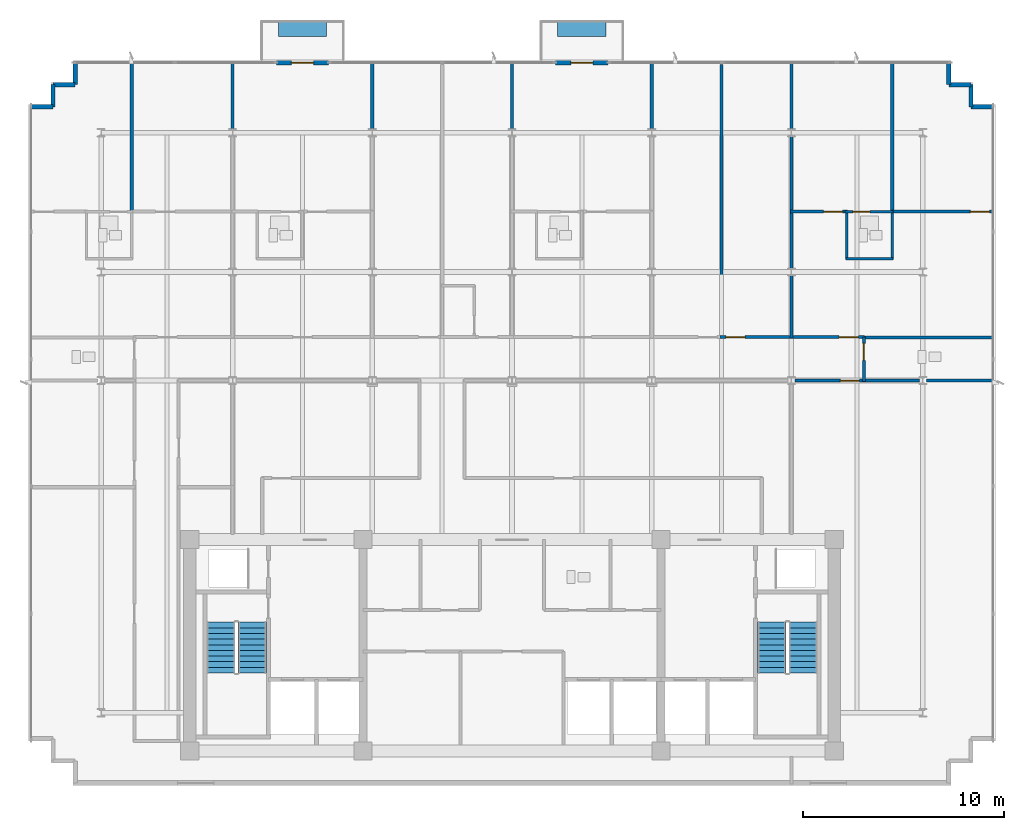
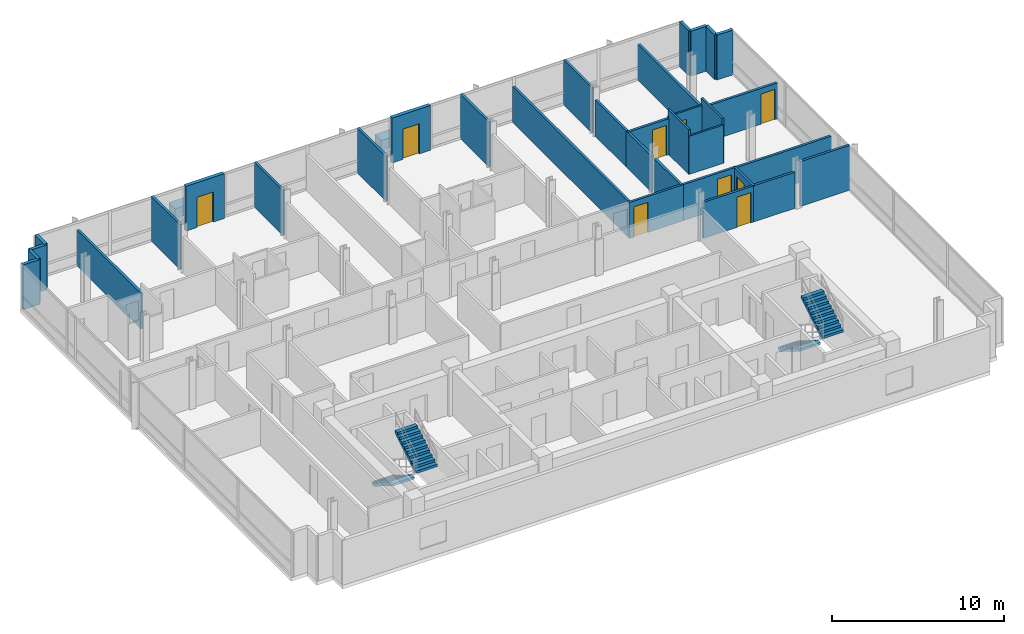
# One storey, part 11 of 15: 34 walls, 9 doors, 4 stair flights, 2 discrete accessories, 9 openings, 2 elements without a shape of their own.
"""IFC4 building model written with IfcOpenShell, lengths in metres."""

from ifc_helpers import new_model, si_unit, direction, frame, frame_2d, origin, origin_2d, place, context, subcontext, project, spatial, polyline, rectangle, outline, extrude, material, layer, layer_set, type_object, element, fill, aggregate, save


model = new_model("IFC4")

# Units and contexts
model_context = context("Model", 3, precision=1e-05, world=origin(), true_north=direction((0.0, 1.0)))
body_context = subcontext(model_context, "Body", "Model", "MODEL_VIEW")
ifc_project = project(units=[si_unit("LENGTHUNIT", "METRE"), si_unit("AREAUNIT", "SQUARE_METRE"), si_unit("VOLUMEUNIT", "CUBIC_METRE"), si_unit("PLANEANGLEUNIT", "RADIAN"), si_unit("MASSUNIT", "GRAM", prefix="KILO")], contexts=[model_context])

# Site, building, storey
site_placement = place(None, origin())
site = spatial("IfcSite", under=ifc_project, at=site_placement, CompositionType="ELEMENT")
building_placement = place(site_placement, origin())
building = spatial("IfcBuilding", under=site, at=building_placement, Name="Solmavex Isthmus Hotel", CompositionType="ELEMENT")
storey_placement = place(building_placement, frame((0.0, 0.0, 259.199951171875)))
storey = spatial("IfcBuildingStorey", under=building, at=storey_placement, Name="L70", CompositionType="ELEMENT", Elevation=259.199951171875)

# Wall, opening, door
ifc_material_1 = material(Name="Precast Concrete C40/50", Category="concrete")
ifc_layer_1 = layer(ifc_material_1, 0.25)
ifc_layer_set_1 = layer_set([ifc_layer_1], Name="Precast Concrete C40/50")
wall_type_1 = type_object("IfcWallType", Name="EW-TWR-250", PredefinedType="STANDARD", material=ifc_layer_set_1)
wall_1_placement = place(storey_placement, frame((-11.7041015625, 21.179931640625, 0.0), z_axis=(0.0, 0.0, 1.0), x_axis=(1.0, 0.0, 0.0)))
wall_1 = element("IfcWall", 1, at=wall_1_placement, inside=storey, type_object=wall_type_1, Name="Exterior Balcony Door Wall L70-2", PredefinedType="STANDARD", context=body_context, shape_type="SweptSolid", body=[
    extrude(rectangle(XDim=2.60009765625, YDim=0.239990234375, at=frame_2d((1.300048828125, 0.0))), origin(), (0.0, 0.0, 1.0), 3.18994140625),
])
opening_1_placement = place(wall_1_placement, frame((0.75, 0.0, 0.0)))
opening_1 = element("IfcOpeningElement", 2, at=opening_1_placement, cuts=wall_1, Name="Opening ED-02", PredefinedType="OPENING", context=body_context, shape_type="SweptSolid", body=[
    extrude(rectangle(XDim=1.10009765625, YDim=2.14990234375, at=frame_2d((0.550048828125, 1.074951171875))), frame((0.0, 0.1298828125, 0.0), z_axis=(0.0, -1.0, 0.0), x_axis=(1.0, 0.0, 0.0)), (0.0, 0.0, 1.0), 0.260009765625),
])
ifc_material_2 = material(Name="Aluminium alloy 6063-T6", Category="aluminium")
door_type_1 = type_object("IfcDoorType", Name="EDR-BALC-1100", OperationType="NOTDEFINED", PredefinedType="DOOR", material=ifc_material_2)
door_1_placement = place(opening_1_placement, origin())
door_1 = element("IfcDoor", 3, at=door_1_placement, inside=storey, type_object=door_type_1, Name="Balcony & Terrace Glazed Door L70-2", OperationType="SINGLE_SWING_RIGHT", OverallHeight=2.14990234375, OverallWidth=1.10009765625, PredefinedType="DOOR", context=body_context, shape_type="SweptSolid", body=[
    extrude(rectangle(XDim=1.10009765625, YDim=2.14990234375, at=frame_2d((0.550048828125, 1.074951171875))), frame((0.0, 0.02490234375, 0.0), z_axis=(0.0, -1.0, 0.0), x_axis=(1.0, 0.0, 0.0)), (0.0, 0.0, 1.0), 0.050048828125),
])
fill(opening_1, door_1)

wall_2_placement = place(storey_placement, frame((2.16796875, 21.179931640625, 0.0), z_axis=(0.0, 0.0, 1.0), x_axis=(1.0, 0.0, 0.0)))
wall_2 = element("IfcWall", 4, at=wall_2_placement, inside=storey, type_object=wall_type_1, Name="Exterior Balcony Door Wall L70-3", PredefinedType="STANDARD", context=body_context, shape_type="SweptSolid", body=[
    extrude(rectangle(XDim=2.60009765625, YDim=0.239990234375, at=frame_2d((1.300048828125, 0.0))), origin(), (0.0, 0.0, 1.0), 3.18994140625),
])
opening_2_placement = place(wall_2_placement, frame((0.75, 0.0, 0.0)))
opening_2 = element("IfcOpeningElement", 5, at=opening_2_placement, cuts=wall_2, Name="Opening ED-02", PredefinedType="OPENING", context=body_context, shape_type="SweptSolid", body=[
    extrude(rectangle(XDim=1.10009765625, YDim=2.14990234375, at=frame_2d((0.550048828125, 1.074951171875))), frame((0.0, 0.1298828125, 0.0), z_axis=(0.0, -1.0, 0.0), x_axis=(1.0, 0.0, 0.0)), (0.0, 0.0, 1.0), 0.260009765625),
])
door_2_placement = place(opening_2_placement, origin())
door_2 = element("IfcDoor", 6, at=door_2_placement, inside=storey, type_object=door_type_1, Name="Balcony & Terrace Glazed Door L70-3", OperationType="SINGLE_SWING_LEFT", OverallHeight=2.14990234375, OverallWidth=1.10009765625, PredefinedType="DOOR", context=body_context, shape_type="SweptSolid", body=[
    extrude(rectangle(XDim=1.10009765625, YDim=2.14990234375, at=frame_2d((0.550048828125, 1.074951171875))), frame((0.0, 0.02490234375, 0.0), z_axis=(0.0, -1.0, 0.0), x_axis=(1.0, 0.0, 0.0)), (0.0, 0.0, 1.0), 0.050048828125),
])
fill(opening_2, door_2)

# Walls
wall_3_placement = place(storey_placement, frame((-23.889892578125, 18.989990234375, 0.0), z_axis=(0.0, 0.0, 1.0), x_axis=(1.0, 0.0, 0.0)))
element("IfcWall", 7, at=wall_3_placement, inside=storey, type_object=wall_type_1, Name="Serrated Corner Facade Panel L70-06", PredefinedType="STANDARD", context=body_context, shape_type="SweptSolid", body=[
    extrude(rectangle(XDim=1.099853515625, YDim=0.219970703125, at=frame_2d((0.5498046875, 0.0))), origin(), (0.0, 0.0, 1.0), 3.18994140625),
])
for number, where, z_axis, x_axis, name in (
    (8, (-22.7900390625, 18.989990234375, 0.0), (0.0, 0.0, 1.0), (0.0, 1.0, 0.0), "Serrated Corner Facade Panel L70-07"),
    (9, (-22.7900390625, 20.090087890625, 0.0), (0.0, 0.0, 1.0), (1.0, 0.0, 0.0), "Serrated Corner Facade Panel L70-08"),
):
    element("IfcWall", number, at=place(storey_placement, frame(where, z_axis=z_axis, x_axis=x_axis)), inside=storey, type_object=wall_type_1, Name=name, PredefinedType="STANDARD", context=body_context, shape_type="SweptSolid", body=[
        extrude(rectangle(XDim=1.10009765625, YDim=0.219970703125, at=frame_2d((0.550048828125, 0.0))), origin(), (0.0, 0.0, 1.0), 3.18994140625),
    ])
for number, where, z_axis, x_axis, name in (
    (10, (-21.68994140625, 20.090087890625, 0.0), (0.0, 0.0, 1.0), (0.0, 1.0, 0.0), "Serrated Corner Facade Panel L70-09"),
    (11, (21.68994140625, 21.18994140625, 0.0), (0.0, 0.0, 1.0), (0.0, -1.0, 0.0), "Serrated Corner Facade Panel L70-11"),
):
    element("IfcWall", number, at=place(storey_placement, frame(where, z_axis=z_axis, x_axis=x_axis)), inside=storey, type_object=wall_type_1, Name=name, PredefinedType="STANDARD", context=body_context, shape_type="SweptSolid", body=[
        extrude(rectangle(XDim=1.099853515625, YDim=0.219970703125, at=frame_2d((0.5498046875, 0.0))), origin(), (0.0, 0.0, 1.0), 3.18994140625),
    ])
for number, where, z_axis, x_axis, name in (
    (12, (21.68994140625, 20.090087890625, 0.0), (0.0, 0.0, 1.0), (1.0, 0.0, 0.0), "Serrated Corner Facade Panel L70-12"),
    (13, (22.7900390625, 20.090087890625, 0.0), (0.0, 0.0, 1.0), (0.0, -1.0, 0.0), "Serrated Corner Facade Panel L70-13"),
):
    element("IfcWall", number, at=place(storey_placement, frame(where, z_axis=z_axis, x_axis=x_axis)), inside=storey, type_object=wall_type_1, Name=name, PredefinedType="STANDARD", context=body_context, shape_type="SweptSolid", body=[
        extrude(rectangle(XDim=1.10009765625, YDim=0.219970703125, at=frame_2d((0.550048828125, 0.0))), origin(), (0.0, 0.0, 1.0), 3.18994140625),
    ])
wall_4_placement = place(storey_placement, frame((22.7900390625, 18.989990234375, 0.0), z_axis=(0.0, 0.0, 1.0), x_axis=(1.0, 0.0, 0.0)))
element("IfcWall", 14, at=wall_4_placement, inside=storey, type_object=wall_type_1, Name="Serrated Corner Facade Panel L70-14", PredefinedType="STANDARD", context=body_context, shape_type="SweptSolid", body=[
    extrude(rectangle(XDim=1.099853515625, YDim=0.219970703125, at=frame_2d((0.5498046875, 0.0))), origin(), (0.0, 0.0, 1.0), 3.18994140625),
])
ifc_material_3 = material(Name="Gypsum plasterboard lining", Category="gypsum")
ifc_layer_2 = layer(ifc_material_3, 0.159912109375)
ifc_layer_set_2 = layer_set([ifc_layer_2], Name="Gypsum plasterboard lining")
wall_type_2 = type_object("IfcWallType", Name="IW-COMP-160", PredefinedType="PARTITIONING", material=ifc_layer_set_2)
wall_5_placement = place(storey_placement, frame((-18.8759765625, 21.219970703125, 0.0), z_axis=(0.0, 0.0, 1.0), x_axis=(0.0, -1.0, 0.0)))
element("IfcWall", 15, at=wall_5_placement, inside=storey, type_object=wall_type_2, Name="Interior Partition Wall W-L70-P041", PredefinedType="PARTITIONING", context=body_context, shape_type="SweptSolid", body=[
    extrude(rectangle(XDim=7.471923828125, YDim=0.159912109375, at=frame_2d((3.73583984375, 0.0))), origin(), (0.0, 0.0, 1.0), 2.5576171875),
])
for number, where, z_axis, x_axis, name in (
    (16, (-13.8720703125, 21.219970703125, 0.0), (0.0, 0.0, 1.0), (0.0, -1.0, 0.0), "Interior Partition Wall W-L70-P044"),
    (17, (-6.93603515625, 21.219970703125, 0.0), (0.0, 0.0, 1.0), (0.0, -1.0, 0.0), "Interior Partition Wall W-L70-P054"),
    (18, (0.0, 21.219970703125, 0.0), (0.0, 0.0, 1.0), (0.0, -1.0, 0.0), "Interior Partition Wall W-L70-P062"),
    (19, (6.93603515625, 21.219970703125, 0.0), (0.0, 0.0, 1.0), (0.0, -1.0, 0.0), "Interior Partition Wall W-L70-P072"),
):
    element("IfcWall", number, at=place(storey_placement, frame(where, z_axis=z_axis, x_axis=x_axis)), inside=storey, type_object=wall_type_2, Name=name, PredefinedType="PARTITIONING", context=body_context, shape_type="SweptSolid", body=[
        extrude(rectangle(XDim=3.344970703125, YDim=0.159912109375, at=frame_2d((1.67236328125, 0.0))), origin(), (0.0, 0.0, 1.0), 3.18994140625),
    ])
wall_6_placement = place(storey_placement, frame((10.404052734375, 21.10009765625, 0.0), z_axis=(0.0, 0.0, 1.0), x_axis=(0.0, -1.0, 0.0)))
element("IfcWall", 20, at=wall_6_placement, inside=storey, type_object=wall_type_2, Name="Interior Partition Wall W-L70-P073", PredefinedType="PARTITIONING", context=body_context, shape_type="SweptSolid", body=[
    extrude(rectangle(XDim=13.590087890625, YDim=0.159912109375, at=frame_2d((6.794921875, 0.0))), origin(), (0.0, 0.0, 1.0), 2.5576171875),
])
wall_7_placement = place(storey_placement, frame((13.8720703125, 10.613037109375, 0.0), z_axis=(0.0, 0.0, 1.0), x_axis=(0.0, -1.0, 0.0)))
element("IfcWall", 21, at=wall_7_placement, inside=storey, type_object=wall_type_2, Name="Interior Partition Wall W-L70-P074", PredefinedType="PARTITIONING", context=body_context, shape_type="SweptSolid", body=[
    extrude(rectangle(XDim=3.10302734375, YDim=0.159912109375, at=frame_2d((1.551513671875, 0.0))), origin(), (0.0, 0.0, 1.0), 2.572265625),
])
wall_8_placement = place(storey_placement, frame((13.8720703125, 13.8701171875, 0.0), z_axis=(0.0, 0.0, 1.0), x_axis=(0.0, -1.0, 0.0)))
element("IfcWall", 22, at=wall_8_placement, inside=storey, type_object=wall_type_2, Name="Interior Partition Wall W-L70-P075", PredefinedType="PARTITIONING", context=body_context, shape_type="SweptSolid", body=[
    extrude(rectangle(XDim=2.9072265625, YDim=0.159912109375, at=frame_2d((1.45361328125, 0.0))), origin(), (0.0, 0.0, 1.0), 2.572265625),
])
wall_9_placement = place(storey_placement, frame((13.8720703125, 17.52490234375, 0.0), z_axis=(0.0, 0.0, 1.0), x_axis=(0.0, -1.0, 0.0)))
element("IfcWall", 23, at=wall_9_placement, inside=storey, type_object=wall_type_2, Name="Interior Partition Wall W-L70-P076", PredefinedType="PARTITIONING", context=body_context, shape_type="SweptSolid", body=[
    extrude(rectangle(XDim=3.81884765625, YDim=0.159912109375, at=frame_2d((1.909423828125, 0.0))), origin(), (0.0, 0.0, 1.0), 2.572265625),
])
wall_10_placement = place(storey_placement, frame((13.8720703125, 21.219970703125, 0.0), z_axis=(0.0, 0.0, 1.0), x_axis=(0.0, -1.0, 0.0)))
element("IfcWall", 24, at=wall_10_placement, inside=storey, type_object=wall_type_2, Name="Interior Partition Wall W-L70-P077", PredefinedType="PARTITIONING", context=body_context, shape_type="SweptSolid", body=[
    extrude(rectangle(XDim=3.344970703125, YDim=0.159912109375, at=frame_2d((1.67236328125, 0.0))), origin(), (0.0, 0.0, 1.0), 3.18994140625),
])

# Wall, opening, door
wall_11_placement = place(storey_placement, frame((13.83203125, 13.7880859375, 0.0), z_axis=(0.0, 0.0, 1.0), x_axis=(1.0, 0.0, 0.0)))
wall_11 = element("IfcWall", 25, at=wall_11_placement, inside=storey, type_object=wall_type_2, Name="Interior Partition Wall W-L70-P078", PredefinedType="PARTITIONING", context=body_context, shape_type="SweptSolid", body=[
    extrude(rectangle(XDim=2.833984375, YDim=0.159912109375, at=frame_2d((1.4169921875, 0.0))), origin(), (0.0, 0.0, 1.0), 2.572265625),
])
opening_3_placement = place(wall_11_placement, frame((1.635986328125, 0.0, 0.0)))
opening_3 = element("IfcOpeningElement", 26, at=opening_3_placement, cuts=wall_11, Name="Opening ID-C095", PredefinedType="OPENING", context=body_context, shape_type="SweptSolid", body=[
    extrude(rectangle(XDim=0.949951171875, YDim=2.14990234375, at=frame_2d((0.47509765625, 1.074951171875))), frame((0.0, 0.08984375, 0.0), z_axis=(0.0, -1.0, 0.0), x_axis=(1.0, 0.0, 0.0)), (0.0, 0.0, 1.0), 0.179931640625),
])
ifc_material_4 = material(Name="Hardwood timber", Category="wood")
door_type_2 = type_object("IfcDoorType", Name="IDR-FD60-0950", OperationType="NOTDEFINED", PredefinedType="DOOR", material=ifc_material_4)
door_3_placement = place(opening_3_placement, origin())
door_3 = element("IfcDoor", 27, at=door_3_placement, inside=storey, type_object=door_type_2, Name="Ambassador Panorama Suite Master Bedroom Door L70-17", OperationType="SINGLE_SWING_LEFT", OverallHeight=2.14990234375, OverallWidth=0.949951171875, PredefinedType="DOOR", context=body_context, shape_type="SweptSolid", body=[
    extrude(rectangle(XDim=0.949951171875, YDim=2.14990234375, at=frame_2d((0.47509765625, 1.074951171875))), frame((0.0, 0.02490234375, 0.0), z_axis=(0.0, -1.0, 0.0), x_axis=(1.0, 0.0, 0.0)), (0.0, 0.0, 1.0), 0.050048828125),
])
fill(opening_3, door_3)

wall_12_placement = place(storey_placement, frame((18.8359375, 13.7880859375, 0.0), z_axis=(0.0, 0.0, 1.0), x_axis=(1.0, 0.0, 0.0)))
wall_12 = element("IfcWall", 28, at=wall_12_placement, inside=storey, type_object=wall_type_2, Name="Interior Partition Wall W-L70-P079", PredefinedType="PARTITIONING", context=body_context, shape_type="SweptSolid", body=[
    extrude(rectangle(XDim=5.083984375, YDim=0.159912109375, at=frame_2d((2.5419921875, 0.0))), origin(), (0.0, 0.0, 1.0), 2.5576171875),
])
opening_4_placement = place(wall_12_placement, frame((3.924072265625, 0.0, 0.0)))
opening_4 = element("IfcOpeningElement", 29, at=opening_4_placement, cuts=wall_12, Name="Opening ID-C095", PredefinedType="OPENING", context=body_context, shape_type="SweptSolid", body=[
    extrude(rectangle(XDim=0.949951171875, YDim=2.14990234375, at=frame_2d((0.47509765625, 1.074951171875))), frame((0.0, 0.08984375, 0.0), z_axis=(0.0, -1.0, 0.0), x_axis=(1.0, 0.0, 0.0)), (0.0, 0.0, 1.0), 0.179931640625),
])
door_4_placement = place(opening_4_placement, origin())
door_4 = element("IfcDoor", 30, at=door_4_placement, inside=storey, type_object=door_type_2, Name="Ambassador Panorama Suite Panorama Sitting Study Door L70-18", OperationType="SINGLE_SWING_RIGHT", OverallHeight=2.14990234375, OverallWidth=0.949951171875, PredefinedType="DOOR", context=body_context, shape_type="SweptSolid", body=[
    extrude(rectangle(XDim=0.949951171875, YDim=2.14990234375, at=frame_2d((0.47509765625, 1.074951171875))), frame((0.0, 0.02490234375, 0.0), z_axis=(0.0, -1.0, 0.0), x_axis=(1.0, 0.0, 0.0)), (0.0, 0.0, 1.0), 0.050048828125),
])
fill(opening_4, door_4)

# Walls
wall_13_placement = place(storey_placement, frame((23.919921875, 7.530029296875, 0.0), z_axis=(0.0, 0.0, 1.0), x_axis=(-1.0, 0.0, 0.0)))
element("IfcWall", 31, at=wall_13_placement, inside=storey, type_object=wall_type_2, Name="Interior Partition Wall W-L70-P083", PredefinedType="PARTITIONING", context=body_context, shape_type="SweptSolid", body=[
    extrude(rectangle(XDim=6.488037109375, YDim=0.159912109375, at=frame_2d((3.244140625, 0.0))), origin(), (0.0, 0.0, 1.0), 2.5576171875),
])
wall_14_placement = place(storey_placement, frame((18.8759765625, 21.219970703125, 0.0), z_axis=(0.0, 0.0, 1.0), x_axis=(0.0, -1.0, 0.0)))
element("IfcWall", 32, at=wall_14_placement, inside=storey, type_object=wall_type_2, Name="Interior Partition Wall W-L70-P084", PredefinedType="PARTITIONING", context=body_context, shape_type="SweptSolid", body=[
    extrude(rectangle(XDim=7.471923828125, YDim=0.159912109375, at=frame_2d((3.73583984375, 0.0))), origin(), (0.0, 0.0, 1.0), 2.5576171875),
])
wall_15_placement = place(storey_placement, frame((20.22509765625, 5.39990234375, 0.0), z_axis=(0.0, 0.0, 1.0), x_axis=(-1.0, 0.0, 0.0)))
element("IfcWall", 33, at=wall_15_placement, inside=storey, type_object=wall_type_2, Name="Interior Partition Wall W-L70-P088", PredefinedType="PARTITIONING", context=body_context, shape_type="SweptSolid", body=[
    extrude(rectangle(XDim=2.793212890625, YDim=0.159912109375, at=frame_2d((1.396484375, 0.0))), origin(), (0.0, 0.0, 1.0), 2.572265625),
])
wall_16_placement = place(storey_placement, frame((23.919921875, 5.39990234375, 0.0), z_axis=(0.0, 0.0, 1.0), x_axis=(-1.0, 0.0, 0.0)))
element("IfcWall", 34, at=wall_16_placement, inside=storey, type_object=wall_type_2, Name="Interior Partition Wall W-L70-P089", PredefinedType="PARTITIONING", context=body_context, shape_type="SweptSolid", body=[
    extrude(rectangle(XDim=3.344970703125, YDim=0.159912109375, at=frame_2d((1.67236328125, 0.0))), origin(), (0.0, 0.0, 1.0), 3.18994140625),
])

# Wall, opening, door
ifc_layer_3 = layer(ifc_material_3, 0.14990234375)
ifc_layer_set_3 = layer_set([ifc_layer_3], Name="Gypsum plasterboard lining")
wall_type_3 = type_object("IfcWallType", Name="IW-CORR-150", PredefinedType="PARTITIONING", material=ifc_layer_set_3)
wall_17_placement = place(storey_placement, frame((10.322021484375, 7.550048828125, 0.0), z_axis=(0.0, 0.0, 1.0), x_axis=(1.0, 0.0, 0.0)))
wall_17 = element("IfcWall", 35, at=wall_17_placement, inside=storey, type_object=wall_type_3, Name="Interior Partition Wall W-L70-P008", PredefinedType="PARTITIONING", context=body_context, shape_type="SweptSolid", body=[
    extrude(rectangle(XDim=3.632080078125, YDim=0.14990234375, at=frame_2d((1.81591796875, 0.0))), origin(), (0.0, 0.0, 1.0), 2.572265625),
])
opening_5_placement = place(wall_17_placement, frame((0.296630859375, 0.0, 0.0)))
opening_5 = element("IfcOpeningElement", 36, at=opening_5_placement, cuts=wall_17, Name="Opening ID-C095", PredefinedType="OPENING", context=body_context, shape_type="SweptSolid", body=[
    extrude(rectangle(XDim=0.949951171875, YDim=2.14990234375, at=frame_2d((0.47509765625, 1.074951171875))), frame((0.0, 0.0849609375, 0.0), z_axis=(0.0, -1.0, 0.0), x_axis=(1.0, 0.0, 0.0)), (0.0, 0.0, 1.0), 0.169921875),
])
door_5_placement = place(opening_5_placement, origin())
door_5 = element("IfcDoor", 37, at=door_5_placement, inside=storey, type_object=door_type_2, Name="Summit Boardroom Door L70-15", OperationType="SINGLE_SWING_LEFT", OverallHeight=2.14990234375, OverallWidth=0.949951171875, PredefinedType="DOOR", context=body_context, shape_type="SweptSolid", body=[
    extrude(rectangle(XDim=0.949951171875, YDim=2.14990234375, at=frame_2d((0.47509765625, 1.074951171875))), frame((0.0, 0.02490234375, 0.0), z_axis=(0.0, -1.0, 0.0), x_axis=(1.0, 0.0, 0.0)), (0.0, 0.0, 1.0), 0.050048828125),
])
fill(opening_5, door_5)

wall_18_placement = place(storey_placement, frame((13.7900390625, 7.550048828125, 0.0), z_axis=(0.0, 0.0, 1.0), x_axis=(1.0, 0.0, 0.0)))
wall_18 = element("IfcWall", 38, at=wall_18_placement, inside=storey, type_object=wall_type_3, Name="Interior Partition Wall W-L70-P009", PredefinedType="PARTITIONING", context=body_context, shape_type="SweptSolid", body=[
    extrude(rectangle(XDim=3.721923828125, YDim=0.14990234375, at=frame_2d((1.86083984375, 0.0))), origin(), (0.0, 0.0, 1.0), 2.572265625),
])
opening_6_placement = place(wall_18_placement, frame((2.456787109375, 0.0, 0.0)))
opening_6 = element("IfcOpeningElement", 39, at=opening_6_placement, cuts=wall_18, Name="Opening ID-C095", PredefinedType="OPENING", context=body_context, shape_type="SweptSolid", body=[
    extrude(rectangle(XDim=0.949951171875, YDim=2.14990234375, at=frame_2d((0.47509765625, 1.074951171875))), frame((0.0, 0.0849609375, 0.0), z_axis=(0.0, -1.0, 0.0), x_axis=(1.0, 0.0, 0.0)), (0.0, 0.0, 1.0), 0.169921875),
])
door_6_placement = place(opening_6_placement, origin())
door_6 = element("IfcDoor", 40, at=door_6_placement, inside=storey, type_object=door_type_2, Name="Ambassador Panorama Suite Living Salon Door L70-16", OperationType="SINGLE_SWING_RIGHT", OverallHeight=2.14990234375, OverallWidth=0.949951171875, PredefinedType="DOOR", context=body_context, shape_type="SweptSolid", body=[
    extrude(rectangle(XDim=0.949951171875, YDim=2.14990234375, at=frame_2d((0.47509765625, 1.074951171875))), frame((0.0, 0.02490234375, 0.0), z_axis=(0.0, -1.0, 0.0), x_axis=(1.0, 0.0, 0.0)), (0.0, 0.0, 1.0), 0.050048828125),
])
fill(opening_6, door_6)

wall_19_placement = place(storey_placement, frame((17.471923828125, 7.570068359375, 0.0), z_axis=(0.0, 0.0, 1.0), x_axis=(0.0, -1.0, 0.0)))
wall_19 = element("IfcWall", 41, at=wall_19_placement, inside=storey, type_object=wall_type_3, Name="Interior Partition Wall W-L70-P011", PredefinedType="PARTITIONING", context=body_context, shape_type="SweptSolid", body=[
    extrude(rectangle(XDim=2.2099609375, YDim=0.14990234375, at=frame_2d((1.10498046875, 0.0))), origin(), (0.0, 0.0, 1.0), 2.572265625),
])
opening_7_placement = place(wall_19_placement, frame((0.322265625, 0.0, 0.0)))
opening_7 = element("IfcOpeningElement", 42, at=opening_7_placement, cuts=wall_19, Name="Opening ID-R085", PredefinedType="OPENING", context=body_context, shape_type="SweptSolid", body=[
    extrude(rectangle(XDim=0.85009765625, YDim=2.050048828125, at=frame_2d((0.425048828125, 1.02490234375))), frame((0.0, 0.0849609375, 0.0), z_axis=(0.0, -1.0, 0.0), x_axis=(1.0, 0.0, 0.0)), (0.0, 0.0, 1.0), 0.169921875),
])
ifc_material_5 = material(Name="Steel ASTM A500 Grade C", Category="steel")
door_type_3 = type_object("IfcDoorType", Name="IDR-FD60-0850", OperationType="NOTDEFINED", PredefinedType="DOOR", material=ifc_material_5)
door_7_placement = place(opening_7_placement, frame((0.85009765625, 0.0, 0.0), z_axis=(0.0, 0.0, 1.0), x_axis=(-1.0, 0.0, 0.0)))
door_7 = element("IfcDoor", 43, at=door_7_placement, inside=storey, type_object=door_type_3, Name="Public Restroom WC Door L70-21", OperationType="SINGLE_SWING_LEFT", OverallHeight=2.050048828125, OverallWidth=0.85009765625, PredefinedType="DOOR", context=body_context, shape_type="SweptSolid", body=[
    extrude(rectangle(XDim=0.85009765625, YDim=2.050048828125, at=frame_2d((0.425048828125, 1.02490234375))), frame((0.0, 0.02490234375, 0.0), z_axis=(0.0, -1.0, 0.0), x_axis=(1.0, 0.0, 0.0)), (0.0, 0.0, 1.0), 0.050048828125),
])
fill(opening_7, door_7)

wall_20_placement = place(storey_placement, frame((17.511962890625, 5.39990234375, 0.0), z_axis=(0.0, 0.0, 1.0), x_axis=(-1.0, 0.0, 0.0)))
wall_20 = element("IfcWall", 44, at=wall_20_placement, inside=storey, type_object=wall_type_3, Name="Interior Partition Wall W-L70-P032", PredefinedType="PARTITIONING", context=body_context, shape_type="SweptSolid", body=[
    extrude(rectangle(XDim=3.46484375, YDim=0.14990234375, at=frame_2d((1.732421875, 0.0))), origin(), (0.0, 0.0, 1.0), 2.572265625),
])
opening_8_placement = place(wall_20_placement, frame((0.26220703125, 0.0, 0.0)))
opening_8 = element("IfcOpeningElement", 45, at=opening_8_placement, cuts=wall_20, Name="Opening ID-C095", PredefinedType="OPENING", context=body_context, shape_type="SweptSolid", body=[
    extrude(rectangle(XDim=0.949951171875, YDim=2.14990234375, at=frame_2d((0.47509765625, 1.074951171875))), frame((0.0, 0.0849609375, 0.0), z_axis=(0.0, -1.0, 0.0), x_axis=(1.0, 0.0, 0.0)), (0.0, 0.0, 1.0), 0.169921875),
])
door_8_placement = place(opening_8_placement, origin())
door_8 = element("IfcDoor", 46, at=door_8_placement, inside=storey, type_object=door_type_2, Name="Corporate Briefing Office Door L70-27", OperationType="SINGLE_SWING_LEFT", OverallHeight=2.14990234375, OverallWidth=0.949951171875, PredefinedType="DOOR", context=body_context, shape_type="SweptSolid", body=[
    extrude(rectangle(XDim=0.949951171875, YDim=2.14990234375, at=frame_2d((0.47509765625, 1.074951171875))), frame((0.0, 0.02490234375, 0.0), z_axis=(0.0, -1.0, 0.0), x_axis=(1.0, 0.0, 0.0)), (0.0, 0.0, 1.0), 0.050048828125),
])
fill(opening_8, door_8)

# Walls
ifc_layer_4 = layer(ifc_material_3, 0.1201171875)
ifc_layer_set_4 = layer_set([ifc_layer_4], Name="Gypsum plasterboard lining")
wall_type_4 = type_object("IfcWallType", Name="IW-PART-120", PredefinedType="PARTITIONING", material=ifc_layer_set_4)
wall_21_placement = place(storey_placement, frame((16.6259765625, 13.827880859375, 0.0), z_axis=(0.0, 0.0, 1.0), x_axis=(0.0, -1.0, 0.0)))
element("IfcWall", 47, at=wall_21_placement, inside=storey, type_object=wall_type_4, Name="Interior Partition Wall W-L70-P080", PredefinedType="PARTITIONING", context=body_context, shape_type="SweptSolid", body=[
    extrude(rectangle(XDim=2.429931640625, YDim=0.1201171875, at=frame_2d((1.21484375, 0.0))), origin(), (0.0, 0.0, 1.0), 3.18994140625),
])
wall_22_placement = place(storey_placement, frame((16.5859375, 11.43798828125, 0.0), z_axis=(0.0, 0.0, 1.0), x_axis=(1.0, 0.0, 0.0)))
element("IfcWall", 48, at=wall_22_placement, inside=storey, type_object=wall_type_4, Name="Interior Partition Wall W-L70-P081", PredefinedType="PARTITIONING", context=body_context, shape_type="SweptSolid", body=[
    extrude(rectangle(XDim=2.330078125, YDim=0.1201171875, at=frame_2d((1.1650390625, 0.0))), origin(), (0.0, 0.0, 1.0), 2.71826171875),
])
wall_23_placement = place(storey_placement, frame((18.8759765625, 11.39794921875, 0.0), z_axis=(0.0, 0.0, 1.0), x_axis=(0.0, 1.0, 0.0)))
element("IfcWall", 49, at=wall_23_placement, inside=storey, type_object=wall_type_4, Name="Interior Partition Wall W-L70-P082", PredefinedType="PARTITIONING", context=body_context, shape_type="SweptSolid", body=[
    extrude(rectangle(XDim=2.429931640625, YDim=0.1201171875, at=frame_2d((1.21484375, 0.0))), origin(), (0.0, 0.0, 1.0), 3.18994140625),
])

# Wall, opening, door
wall_24_placement = place(storey_placement, frame((18.916015625, 13.7880859375, 0.0), z_axis=(0.0, 0.0, 1.0), x_axis=(-1.0, 0.0, 0.0)))
wall_24 = element("IfcWall", 50, at=wall_24_placement, inside=storey, type_object=wall_type_4, Name="Interior Partition Wall W-L70-P085", PredefinedType="PARTITIONING", context=body_context, shape_type="SweptSolid", body=[
    extrude(rectangle(XDim=2.3720703125, YDim=0.1201171875, at=frame_2d((1.18603515625, 0.0))), origin(), (0.0, 0.0, 1.0), 2.71826171875),
])
opening_9_placement = place(wall_24_placement, frame((1.14599609375, 0.0, 0.0)))
opening_9 = element("IfcOpeningElement", 51, at=opening_9_placement, cuts=wall_24, Name="Opening ID-U085", PredefinedType="OPENING", context=body_context, shape_type="SweptSolid", body=[
    extrude(rectangle(XDim=0.85009765625, YDim=2.10009765625, at=frame_2d((0.425048828125, 1.050048828125))), frame((0.0, 0.070068359375, 0.0), z_axis=(0.0, -1.0, 0.0), x_axis=(1.0, 0.0, 0.0)), (0.0, 0.0, 1.0), 0.14013671875),
])
door_type_4 = type_object("IfcDoorType", Name="IDR-UNR-0850", OperationType="NOTDEFINED", PredefinedType="DOOR", material=ifc_material_4)
door_9_placement = place(opening_9_placement, frame((0.85009765625, 0.0, 0.0), z_axis=(0.0, 0.0, 1.0), x_axis=(-1.0, 0.0, 0.0)))
door_9 = element("IfcDoor", 52, at=door_9_placement, inside=storey, type_object=door_type_4, Name="En-suite Bathroom Door L70-19", OperationType="SINGLE_SWING_LEFT", OverallHeight=2.10009765625, OverallWidth=0.85009765625, PredefinedType="DOOR", context=body_context, shape_type="SweptSolid", body=[
    extrude(rectangle(XDim=0.85009765625, YDim=2.10009765625, at=frame_2d((0.425048828125, 1.050048828125))), frame((0.0, 0.02490234375, 0.0), z_axis=(0.0, -1.0, 0.0), x_axis=(1.0, 0.0, 0.0)), (0.0, 0.0, 1.0), 0.050048828125),
])
fill(opening_9, door_9)

# Stair, stair flights
ifc_material_6 = material(Name="Concrete C40/50", Category="concrete")
stair_type_1 = type_object("IfcStairType", Name="STR-ST-1", PredefinedType="HALF_TURN_STAIR", material=ifc_material_6)
stair_1_placement = place(storey_placement, origin())
stair_1 = element("IfcStair", 53, at=stair_1_placement, inside=storey, type_object=stair_type_1, Name="L70 Protected Exit Stair ST-1", PredefinedType="HALF_TURN_STAIR")
stair_flight_type_1 = type_object("IfcStairFlightType", Name="SFL-ST-1", PredefinedType="STRAIGHT", material=ifc_material_6)
stair_flight_1_placement = place(storey_placement, frame((-14.449951171875, -6.60009765625, 0.0), z_axis=(0.0, 0.0, 1.0), x_axis=(0.0, -1.0, 0.0)))
stair_flight_1 = element("IfcStairFlight", 54, at=stair_flight_1_placement, type_object=stair_flight_type_1, Name="ST-1 flight 1", NumberOfRisers=10, NumberOfTreads=9, PredefinedType="STRAIGHT", RiserHeight=0.1725, TreadLength=0.28, context=body_context, shape_type="SweptSolid", body=[
    extrude(outline(polyline([(0.0, 0.0), (0.0, 0.172607421875), (0.280029296875, 0.172607421875), (0.280029296875, 0.344970703125), (0.56005859375, 0.344970703125), (0.56005859375, 0.517578125), (0.840087890625, 0.517578125), (0.840087890625, 0.68994140625), (1.1201171875, 0.68994140625), (1.1201171875, 0.862548828125), (1.39990234375, 0.862548828125), (1.39990234375, 1.034912109375), (1.679931640625, 1.034912109375), (1.679931640625, 1.20751953125), (1.9599609375, 1.20751953125), (1.9599609375, 1.3798828125), (2.239990234375, 1.3798828125), (2.239990234375, 1.552490234375), (2.52001953125, 1.552490234375), (2.52001953125, 1.72509765625), (2.52001953125, 1.37646484375), (0.285888671875, 0.0), (0.0, 0.0)])), frame((0.0, 0.699951171875, 0.0), z_axis=(0.0, -1.0, 0.0), x_axis=(1.0, 0.0, 0.0)), (0.0, 0.0, 1.0), 1.39990234375),
])
stair_flight_2_placement = place(storey_placement, frame((-12.89990234375, -9.1201171875, 1.72509765625), z_axis=(0.0, 0.0, 1.0), x_axis=(0.0, 1.0, 0.0)))
stair_flight_2 = element("IfcStairFlight", 55, at=stair_flight_2_placement, type_object=stair_flight_type_1, Name="ST-1 flight 2", NumberOfRisers=10, NumberOfTreads=9, PredefinedType="STRAIGHT", RiserHeight=0.1725, TreadLength=0.28, context=body_context, shape_type="SweptSolid", body=[
    extrude(outline(polyline([(0.0, 0.0), (0.0, 0.172607421875), (0.280029296875, 0.172607421875), (0.280029296875, 0.344970703125), (0.56005859375, 0.344970703125), (0.56005859375, 0.517578125), (0.840087890625, 0.517578125), (0.840087890625, 0.68994140625), (1.1201171875, 0.68994140625), (1.1201171875, 0.862548828125), (1.39990234375, 0.862548828125), (1.39990234375, 1.034912109375), (1.679931640625, 1.034912109375), (1.679931640625, 1.20751953125), (1.9599609375, 1.20751953125), (1.9599609375, 1.3798828125), (2.239990234375, 1.3798828125), (2.239990234375, 1.552490234375), (2.52001953125, 1.552490234375), (2.52001953125, 1.72509765625), (2.52001953125, 1.37646484375), (0.285888671875, 0.0), (0.0, 0.0)])), frame((0.0, 0.699951171875, 0.0), z_axis=(0.0, -1.0, 0.0), x_axis=(1.0, 0.0, 0.0)), (0.0, 0.0, 1.0), 1.39990234375),
])
aggregate(stair_1, [stair_flight_1, stair_flight_2])

stair_type_2 = type_object("IfcStairType", Name="STR-ST-2", PredefinedType="HALF_TURN_STAIR", material=ifc_material_6)
stair_2_placement = place(storey_placement, origin())
stair_2 = element("IfcStair", 56, at=stair_2_placement, inside=storey, type_object=stair_type_2, Name="L70 Protected Exit Stair ST-2", PredefinedType="HALF_TURN_STAIR")
stair_flight_type_2 = type_object("IfcStairFlightType", Name="SFL-ST-2", PredefinedType="STRAIGHT", material=ifc_material_6)
stair_flight_3_placement = place(storey_placement, frame((12.89990234375, -6.60009765625, 0.0), z_axis=(0.0, 0.0, 1.0), x_axis=(0.0, -1.0, 0.0)))
stair_flight_3 = element("IfcStairFlight", 57, at=stair_flight_3_placement, type_object=stair_flight_type_2, Name="ST-2 flight 1", NumberOfRisers=10, NumberOfTreads=9, PredefinedType="STRAIGHT", RiserHeight=0.1725, TreadLength=0.28, context=body_context, shape_type="SweptSolid", body=[
    extrude(outline(polyline([(0.0, 0.0), (0.0, 0.172607421875), (0.280029296875, 0.172607421875), (0.280029296875, 0.344970703125), (0.56005859375, 0.344970703125), (0.56005859375, 0.517578125), (0.840087890625, 0.517578125), (0.840087890625, 0.68994140625), (1.1201171875, 0.68994140625), (1.1201171875, 0.862548828125), (1.39990234375, 0.862548828125), (1.39990234375, 1.034912109375), (1.679931640625, 1.034912109375), (1.679931640625, 1.20751953125), (1.9599609375, 1.20751953125), (1.9599609375, 1.3798828125), (2.239990234375, 1.3798828125), (2.239990234375, 1.552490234375), (2.52001953125, 1.552490234375), (2.52001953125, 1.72509765625), (2.52001953125, 1.37646484375), (0.285888671875, 0.0), (0.0, 0.0)])), frame((0.0, 0.699951171875, 0.0), z_axis=(0.0, -1.0, 0.0), x_axis=(1.0, 0.0, 0.0)), (0.0, 0.0, 1.0), 1.39990234375),
])
stair_flight_4_placement = place(storey_placement, frame((14.449951171875, -9.1201171875, 1.72509765625), z_axis=(0.0, 0.0, 1.0), x_axis=(0.0, 1.0, 0.0)))
stair_flight_4 = element("IfcStairFlight", 58, at=stair_flight_4_placement, type_object=stair_flight_type_2, Name="ST-2 flight 2", NumberOfRisers=10, NumberOfTreads=9, PredefinedType="STRAIGHT", RiserHeight=0.1725, TreadLength=0.28, context=body_context, shape_type="SweptSolid", body=[
    extrude(outline(polyline([(0.0, 0.0), (0.0, 0.172607421875), (0.280029296875, 0.172607421875), (0.280029296875, 0.344970703125), (0.56005859375, 0.344970703125), (0.56005859375, 0.517578125), (0.840087890625, 0.517578125), (0.840087890625, 0.68994140625), (1.1201171875, 0.68994140625), (1.1201171875, 0.862548828125), (1.39990234375, 0.862548828125), (1.39990234375, 1.034912109375), (1.679931640625, 1.034912109375), (1.679931640625, 1.20751953125), (1.9599609375, 1.20751953125), (1.9599609375, 1.3798828125), (2.239990234375, 1.3798828125), (2.239990234375, 1.552490234375), (2.52001953125, 1.552490234375), (2.52001953125, 1.72509765625), (2.52001953125, 1.37646484375), (0.285888671875, 0.0), (0.0, 0.0)])), frame((0.0, 0.699951171875, 0.0), z_axis=(0.0, -1.0, 0.0), x_axis=(1.0, 0.0, 0.0)), (0.0, 0.0, 1.0), 1.39990234375),
])
aggregate(stair_2, [stair_flight_3, stair_flight_4])

# Discrete accessories
discrete_accessory_type = type_object("IfcDiscreteAccessoryType", Name="ACC-PLN-BALC", PredefinedType="USERDEFINED", material=ifc_material_1)
for number, where, z_axis, x_axis, name in (
    (59, (-10.404052734375, 22.85009765625, 0.0), (0.0, 0.0, 1.0), (1.0, 0.0, 0.0), "Tree-Balcony Architectural Planter L70-B1"),
    (60, (3.468017578125, 22.85009765625, 0.0), (0.0, 0.0, 1.0), (1.0, 0.0, 0.0), "Tree-Balcony Architectural Planter L70-B2"),
):
    element("IfcDiscreteAccessory", number, at=place(storey_placement, frame(where, z_axis=z_axis, x_axis=x_axis)), inside=storey, type_object=discrete_accessory_type, Name=name, ObjectType="PLANTER", PredefinedType="USERDEFINED", context=body_context, shape_type="SweptSolid", body=[
        extrude(rectangle(XDim=2.39990234375, YDim=0.75, at=origin_2d()), origin(), (0.0, 0.0, 1.0), 0.699951171875),
    ])

save(model, "model.ifc")
